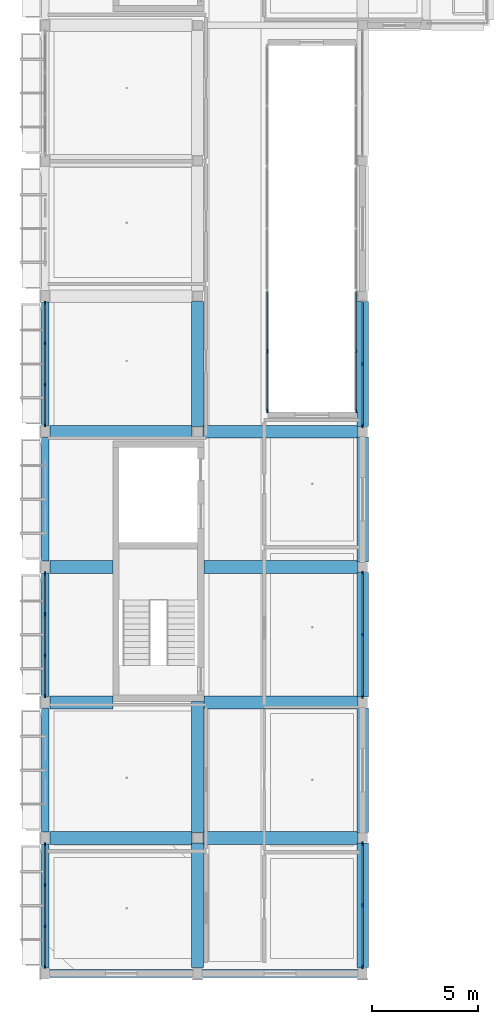
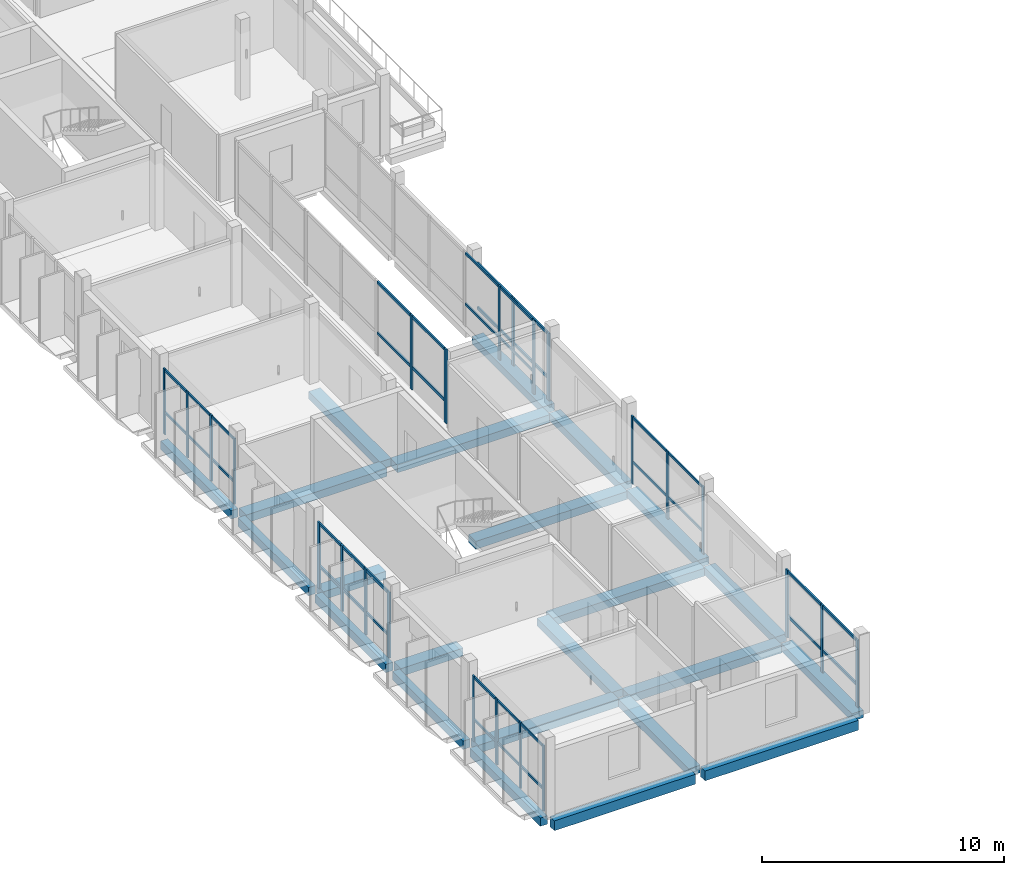
# One storey, part 5 of 86: 40 members, 23 beams, 8 elements without a shape of their own.
"""IFC4 building model written with IfcOpenShell, lengths in metres."""

import ifcopenshell
import ifcopenshell.guid

model = None  # the IFC model being written
_history = None  # IfcOwnerHistory: only IFC2X3 demands one
_inside = {}  # id of a spatial element -> (the spatial element, [elements in it])
_under = {}  # id of a project, library or spatial element -> (it, [spatial elements below it])
_declared = {}  # id of a project -> (the project, [libraries it declares])
_typed = {}  # id of a type object -> (the type object, [elements of that type])
_made_of = {}  # id of a material, layer set ... -> (it, [elements and type objects made of it])


def new_model(schema):
    """Start an empty IFC model of exactly this schema.

    Asked for "IFC4X3", IfcOpenShell would pick the latest addendum, in which some entities
    have other attributes; the version numbers below select the first issue.
    IFC2X3 requires an IfcOwnerHistory on every rooted entity: one is made here for all.
    """
    global model, _history
    if schema == "IFC4X3":
        model = ifcopenshell.file(schema_version=(4, 3, 0, 0))
    else:
        model = ifcopenshell.file(schema=schema)
    _inside.clear()
    _under.clear()
    _declared.clear()
    _typed.clear()
    _made_of.clear()
    _history = None
    if model.schema == "IFC2X3":
        org = make("IfcOrganization", Name="unknown")
        user = make(
            "IfcPersonAndOrganization",
            ThePerson=make("IfcPerson", FamilyName="unknown"),
            TheOrganization=org,
        )
        app = make(
            "IfcApplication",
            ApplicationDeveloper=org,
            Version="unknown",
            ApplicationFullName="unknown",
            ApplicationIdentifier="unknown",
        )
        _history = make(
            "IfcOwnerHistory",
            OwningUser=user,
            OwningApplication=app,
            ChangeAction="ADDED",
            CreationDate=0,
        )
    return model


def make(cls, **values):
    """One entity of the class cls with the attributes given. An attribute that is None is left unset."""
    return model.create_entity(
        cls, **{name: value for name, value in values.items() if value is not None}
    )


def rooted(cls, **values):
    """An entity with a GlobalId (a new one), such as an element, a storey or a relation."""
    return make(cls, GlobalId=ifcopenshell.guid.new(), OwnerHistory=_history, **values)


def si_unit(unit_type, name, prefix=None):
    """IfcSIUnit, for example si_unit("LENGTHUNIT", "METRE", prefix="MILLI")."""
    return make("IfcSIUnit", UnitType=unit_type, Prefix=prefix, Name=name)


def derived_unit(unit_type, elements):
    """IfcDerivedUnit: a product of units, each with its exponent."""
    return make(
        "IfcDerivedUnit",
        Elements=[
            make("IfcDerivedUnitElement", Unit=unit, Exponent=power)
            for unit, power in elements
        ],
        UnitType=unit_type,
    )


def assignment(units):
    """IfcUnitAssignment: the units of a project."""
    return None if units is None else make("IfcUnitAssignment", Units=units)


def point(xyz):
    """IfcCartesianPoint."""
    return None if xyz is None else make("IfcCartesianPoint", Coordinates=xyz)


def direction(xyz):
    """IfcDirection."""
    return None if xyz is None else make("IfcDirection", DirectionRatios=xyz)


def frame(location, z_axis=None, x_axis=None):
    """IfcAxis2Placement3D, a coordinate frame: its origin and axes. An axis left out is left unset."""
    return make(
        "IfcAxis2Placement3D",
        Location=point(location),
        Axis=direction(z_axis),
        RefDirection=direction(x_axis),
    )


def frame_2d(location, x_axis=None):
    """IfcAxis2Placement2D, a coordinate frame in the plane: its origin and x axis."""
    return make(
        "IfcAxis2Placement2D", Location=point(location), RefDirection=direction(x_axis)
    )


def origin():
    """The frame at (0, 0, 0) with its axes left unset."""
    return frame((0.0, 0.0, 0.0))


def origin_2d():
    """The frame at (0, 0) in the plane with its x axis left unset."""
    return frame_2d((0.0, 0.0))


def place(relative_to, where):
    """IfcLocalPlacement: puts the frame where relative to a parent placement (None: the world)."""
    return make(
        "IfcLocalPlacement", PlacementRelTo=relative_to, RelativePlacement=where
    )


def context(
    kind, dimensions, precision=None, world=None, true_north=None, identifier=None
):
    """IfcGeometricRepresentationContext, for example the 3D "Model" context."""
    return make(
        "IfcGeometricRepresentationContext",
        ContextIdentifier=identifier,
        ContextType=kind,
        CoordinateSpaceDimension=dimensions,
        Precision=precision,
        WorldCoordinateSystem=world,
        TrueNorth=true_north,
    )


def subcontext(parent, identifier, kind, view, scale=None):
    """IfcGeometricRepresentationSubContext, for example "Body" below "Model"."""
    return make(
        "IfcGeometricRepresentationSubContext",
        ContextIdentifier=identifier,
        ContextType=kind,
        ParentContext=parent,
        TargetScale=scale,
        TargetView=view,
    )


def project(units=None, contexts=None):
    """IfcProject with its units and contexts."""
    return rooted(
        "IfcProject",
        Name="project",
        RepresentationContexts=contexts,
        UnitsInContext=assignment(units),
    )


def spatial(cls, under=None, at=None, **own):
    """A site, building, storey or space (cls), placed at a placement, below another one or the project."""
    s = rooted(cls, ObjectPlacement=at, **own)
    if under is not None:
        _under.setdefault(under.id(), (under, []))[1].append(s)
    return s


def profile(cls, at=None, kind="AREA", **sizes):
    """A parametric profile (cls). Its sizes go by their IFC names, for example OverallWidth=200.0."""
    return make(cls, ProfileType=kind, Position=at, **sizes)


def rectangle(**sizes):
    """IfcRectangleProfileDef."""
    return profile("IfcRectangleProfileDef", **sizes)


def extrude(swept, where, along, depth):
    """IfcExtrudedAreaSolid: the profile swept, set in the frame where, extruded along a direction by depth."""
    return make(
        "IfcExtrudedAreaSolid",
        SweptArea=swept,
        Position=where,
        ExtrudedDirection=direction(along),
        Depth=depth,
    )


def shape(context_of_items, identifier, shape_type, items):
    """IfcShapeRepresentation: the items that make up one representation, for example the "Body"."""
    return make(
        "IfcShapeRepresentation",
        ContextOfItems=context_of_items,
        RepresentationIdentifier=identifier,
        RepresentationType=shape_type,
        Items=items,
    )


def material(Name=None, Category=None):
    """IfcMaterial."""
    return make("IfcMaterial", Name=Name, Category=Category)


def material_profile(
    of_material, cross_section, Name=None, Category=None, Priority=None
):
    """IfcMaterialProfile: a cross section and its material."""
    return make(
        "IfcMaterialProfile",
        Name=Name,
        Material=of_material,
        Profile=cross_section,
        Priority=Priority,
        Category=Category,
    )


def profile_set(profiles, Name=None, composite=None):
    """IfcMaterialProfileSet."""
    return make(
        "IfcMaterialProfileSet",
        Name=Name,
        MaterialProfiles=profiles,
        CompositeProfile=composite,
    )


def made_of(thing, what):
    """Note that an element or type object is made of a material, layer set ...; save() writes the relation."""
    if what is not None:
        _made_of.setdefault(what.id(), (what, []))[1].append(thing)
    return thing


def type_object(cls, material=None, **own):
    """A type object (cls), such as IfcWallType, which elements share."""
    return made_of(rooted(cls, **own), material)


def element(
    cls,
    number,
    at=None,
    inside=None,
    cuts=None,
    type_object=None,
    material=None,
    context=None,
    identifier="Body",
    shape_type=None,
    held_by="IfcProductDefinitionShape",
    body=None,
    shapes=None,
    **own,
):
    """One element of the class cls, such as IfcWall. Its Tag is "e" and its number.

    at: its placement. inside: the storey or other place that contains it. cuts: it is an
    opening in that element (IfcRelVoidsElement). A single representation is given by context,
    identifier, shape_type and body (its items); several are given by shapes. held_by: the class
    of the entity that holds the representations. save() writes the other relations.
    """
    e = rooted(cls, Tag="e%d" % number, ObjectPlacement=at, **own)
    if body is not None:
        shapes = [shape(context, identifier, shape_type, body)]
    if shapes is not None:
        e.Representation = make(held_by, Representations=shapes)
    if inside is not None:
        _inside.setdefault(inside.id(), (inside, []))[1].append(e)
    if cuts is not None:
        rooted(
            "IfcRelVoidsElement", RelatingBuildingElement=cuts, RelatedOpeningElement=e
        )
    if type_object is not None:
        _typed.setdefault(type_object.id(), (type_object, []))[1].append(e)
    return made_of(e, material)


def aggregate(whole, parts):
    """IfcRelAggregates: a whole, such as a stair, and the parts it consists of."""
    return rooted("IfcRelAggregates", RelatingObject=whole, RelatedObjects=parts)


def save(model, path):
    """Write the relations noted so far, then the file.

    IfcRelAggregates (storeys below a building ...), IfcRelContainedInSpatialStructure (elements
    in a storey), IfcRelDefinesByType, IfcRelAssociatesMaterial and IfcRelDeclares: one each for
    every whole, place, type object, material and project.
    """
    for whole, parts in _under.values():
        aggregate(whole, parts)
    for where, things in _inside.values():
        rooted(
            "IfcRelContainedInSpatialStructure",
            RelatedElements=things,
            RelatingStructure=where,
        )
    for kind, things in _typed.values():
        rooted("IfcRelDefinesByType", RelatedObjects=things, RelatingType=kind)
    for what, things in _made_of.values():
        rooted("IfcRelAssociatesMaterial", RelatedObjects=things, RelatingMaterial=what)
    for by, libraries in _declared.values():
        rooted("IfcRelDeclares", RelatingContext=by, RelatedDefinitions=libraries)
    model.write(path)


model = new_model("IFC4")

# Units and contexts
model_context = context("Model", 3, precision=1e-05, world=origin(), true_north=direction((0.0, 1.0)))
body_context = subcontext(model_context, "Body", "Model", "MODEL_VIEW")
ifc_project = project(units=[si_unit("LENGTHUNIT", "METRE"), si_unit("AREAUNIT", "SQUARE_METRE"), si_unit("VOLUMEUNIT", "CUBIC_METRE"), si_unit("PLANEANGLEUNIT", "RADIAN"), si_unit("MASSUNIT", "GRAM", prefix="KILO"), derived_unit("THERMALTRANSMITTANCEUNIT", [(si_unit("POWERUNIT", "WATT"), 1), (si_unit("LENGTHUNIT", "METRE"), -2), (si_unit("THERMODYNAMICTEMPERATUREUNIT", "KELVIN"), -1)])], contexts=[model_context])

# Site, building, storey
site_placement = place(None, origin())
site = spatial("IfcSite", under=ifc_project, at=site_placement, CompositionType="ELEMENT")
building_placement = place(site_placement, origin())
building = spatial("IfcBuilding", under=site, at=building_placement, Name="Braskholm Square Health Centre", CompositionType="ELEMENT")
storey_placement = place(building_placement, frame((0.0, 0.0, 13.5)))
storey = spatial("IfcBuildingStorey", under=building, at=storey_placement, Name="L04", CompositionType="ELEMENT", Elevation=13.5)

# Curtain wall, members
ifc_material_1 = material(Name="Low-E triple insulating glass (VLT 0.64)", Category="glass")
curtain_wall_type_1 = type_object("IfcCurtainWallType", Name="UnitisedCurtainWall6200x3650", PredefinedType="NOTDEFINED", material=ifc_material_1)
curtain_wall_1_placement = place(storey_placement, origin())
curtain_wall_1 = element("IfcCurtainWall", 1, at=curtain_wall_1_placement, inside=storey, type_object=curtain_wall_type_1, Name="West Outer unitised curtain wall CW-L04-0022", PredefinedType="NOTDEFINED")
ifc_material_2 = material(Name="Architectural bronze anodised aluminium", Category="aluminium")
ifc_material_profile_1 = material_profile(ifc_material_2, rectangle(XDim=0.06494140625, YDim=0.14990234375, at=origin_2d()), Name="ALU-65X150")
ifc_profile_set_1 = profile_set([ifc_material_profile_1], Name="Architectural bronze anodised aluminium")
member_type_1 = type_object("IfcMemberType", Name="CurtainWallMullion65x150", PredefinedType="MULLION", material=ifc_profile_set_1)
member_1_placement = place(storey_placement, frame((4.199951171875, 10.294921875, 0.0), z_axis=(0.0, 0.0, 1.0), x_axis=(1.0, 0.0, 0.0)))
member_1 = element("IfcMember", 2, at=member_1_placement, type_object=member_type_1, Name="CW-L04-0022 vertical mullion 1", PredefinedType="MULLION", context=body_context, shape_type="SweptSolid", body=[
    extrude(rectangle(XDim=0.06494140625, YDim=0.14990234375, at=origin_2d()), origin(), (0.0, 0.0, 1.0), 3.330078125),
])
member_2_placement = place(storey_placement, frame((4.199951171875, 8.376708984375, 0.0), z_axis=(0.0, 0.0, 1.0), x_axis=(1.0, 0.0, 0.0)))
member_2 = element("IfcMember", 3, at=member_2_placement, type_object=member_type_1, Name="CW-L04-0022 vertical mullion 2", PredefinedType="MULLION", context=body_context, shape_type="SweptSolid", body=[
    extrude(rectangle(XDim=0.06494140625, YDim=0.14990234375, at=origin_2d()), origin(), (0.0, 0.0, 1.0), 3.330078125),
])
member_3_placement = place(storey_placement, frame((4.199951171875, 6.42333984375, 0.0), z_axis=(0.0, 0.0, 1.0), x_axis=(1.0, 0.0, 0.0)))
member_3 = element("IfcMember", 4, at=member_3_placement, type_object=member_type_1, Name="CW-L04-0022 vertical mullion 3", PredefinedType="MULLION", context=body_context, shape_type="SweptSolid", body=[
    extrude(rectangle(XDim=0.06494140625, YDim=0.14990234375, at=origin_2d()), origin(), (0.0, 0.0, 1.0), 3.330078125),
])
member_4_placement = place(storey_placement, frame((4.199951171875, 4.505126953125, 0.0), z_axis=(0.0, 0.0, 1.0), x_axis=(1.0, 0.0, 0.0)))
member_4 = element("IfcMember", 5, at=member_4_placement, type_object=member_type_1, Name="CW-L04-0022 vertical mullion 4", PredefinedType="MULLION", context=body_context, shape_type="SweptSolid", body=[
    extrude(rectangle(XDim=0.06494140625, YDim=0.14990234375, at=origin_2d()), origin(), (0.0, 0.0, 1.0), 3.330078125),
])

curtain_wall_2_placement = place(storey_placement, origin())
curtain_wall_2 = element("IfcCurtainWall", 6, at=curtain_wall_2_placement, inside=storey, type_object=curtain_wall_type_1, Name="West Outer unitised curtain wall CW-L04-0024", PredefinedType="NOTDEFINED")
member_5_placement = place(storey_placement, frame((4.199951171875, 35.894775390625, 0.0), z_axis=(0.0, 0.0, 1.0), x_axis=(1.0, 0.0, 0.0)))
member_5 = element("IfcMember", 7, at=member_5_placement, type_object=member_type_1, Name="CW-L04-0024 vertical mullion 1", PredefinedType="MULLION", context=body_context, shape_type="SweptSolid", body=[
    extrude(rectangle(XDim=0.06494140625, YDim=0.14990234375, at=origin_2d()), origin(), (0.0, 0.0, 1.0), 3.330078125),
])
member_6_placement = place(storey_placement, frame((4.199951171875, 33.976806640625, 0.0), z_axis=(0.0, 0.0, 1.0), x_axis=(1.0, 0.0, 0.0)))
member_6 = element("IfcMember", 8, at=member_6_placement, type_object=member_type_1, Name="CW-L04-0024 vertical mullion 2", PredefinedType="MULLION", context=body_context, shape_type="SweptSolid", body=[
    extrude(rectangle(XDim=0.06494140625, YDim=0.14990234375, at=origin_2d()), origin(), (0.0, 0.0, 1.0), 3.330078125),
])
member_7_placement = place(storey_placement, frame((4.199951171875, 32.023193359375, 0.0), z_axis=(0.0, 0.0, 1.0), x_axis=(1.0, 0.0, 0.0)))
member_7 = element("IfcMember", 9, at=member_7_placement, type_object=member_type_1, Name="CW-L04-0024 vertical mullion 3", PredefinedType="MULLION", context=body_context, shape_type="SweptSolid", body=[
    extrude(rectangle(XDim=0.06494140625, YDim=0.14990234375, at=origin_2d()), origin(), (0.0, 0.0, 1.0), 3.330078125),
])
member_8_placement = place(storey_placement, frame((4.199951171875, 30.105224609375, 0.0), z_axis=(0.0, 0.0, 1.0), x_axis=(1.0, 0.0, 0.0)))
member_8 = element("IfcMember", 10, at=member_8_placement, type_object=member_type_1, Name="CW-L04-0024 vertical mullion 4", PredefinedType="MULLION", context=body_context, shape_type="SweptSolid", body=[
    extrude(rectangle(XDim=0.06494140625, YDim=0.14990234375, at=origin_2d()), origin(), (0.0, 0.0, 1.0), 3.330078125),
])

curtain_wall_3_placement = place(storey_placement, origin())
curtain_wall_3 = element("IfcCurtainWall", 11, at=curtain_wall_3_placement, inside=storey, type_object=curtain_wall_type_1, Name="West Valley unitised curtain wall CW-L04-0096", PredefinedType="NOTDEFINED")
member_9_placement = place(storey_placement, frame((19.199951171875, 17.275390625, 0.0), z_axis=(0.0, 0.0, 1.0), x_axis=(1.0, 0.0, 0.0)))
member_9 = element("IfcMember", 12, at=member_9_placement, type_object=member_type_1, Name="CW-L04-0096 vertical mullion 1", PredefinedType="MULLION", context=body_context, shape_type="SweptSolid", body=[
    extrude(rectangle(XDim=0.06494140625, YDim=0.14990234375, at=origin_2d()), origin(), (0.0, 0.0, 1.0), 3.419921875),
])
member_10_placement = place(storey_placement, frame((19.199951171875, 20.199951171875, 0.0), z_axis=(0.0, 0.0, 1.0), x_axis=(1.0, 0.0, 0.0)))
member_10 = element("IfcMember", 13, at=member_10_placement, type_object=member_type_1, Name="CW-L04-0096 vertical mullion 2", PredefinedType="MULLION", context=body_context, shape_type="SweptSolid", body=[
    extrude(rectangle(XDim=0.06494140625, YDim=0.14990234375, at=origin_2d()), origin(), (0.0, 0.0, 1.0), 3.419921875),
])
member_11_placement = place(storey_placement, frame((19.199951171875, 23.12451171875, 0.0), z_axis=(0.0, 0.0, 1.0), x_axis=(1.0, 0.0, 0.0)))
member_11 = element("IfcMember", 14, at=member_11_placement, type_object=member_type_1, Name="CW-L04-0096 vertical mullion 3", PredefinedType="MULLION", context=body_context, shape_type="SweptSolid", body=[
    extrude(rectangle(XDim=0.06494140625, YDim=0.14990234375, at=origin_2d()), origin(), (0.0, 0.0, 1.0), 3.419921875),
])

curtain_wall_type_2 = type_object("IfcCurtainWallType", Name="UnitisedCurtainWall5400x3800", PredefinedType="NOTDEFINED", material=ifc_material_1)
curtain_wall_4_placement = place(storey_placement, origin())
curtain_wall_4 = element("IfcCurtainWall", 15, at=curtain_wall_4_placement, inside=storey, type_object=curtain_wall_type_2, Name="WC1 Court E unitised curtain wall CW-L04-0268", PredefinedType="NOTDEFINED")
member_12_placement = place(storey_placement, frame((18.89990234375, 33.60107421875, 0.0), z_axis=(0.0, 0.0, 1.0), x_axis=(1.0, 0.0, 0.0)))
member_12 = element("IfcMember", 16, at=member_12_placement, type_object=member_type_1, Name="CW-L04-0268 vertical mullion 2", PredefinedType="MULLION", context=body_context, shape_type="SweptSolid", body=[
    extrude(rectangle(XDim=0.06494140625, YDim=0.14990234375, at=origin_2d()), origin(), (0.0, 0.0, 1.0), 3.75),
])
member_13_placement = place(storey_placement, frame((18.89990234375, 30.7744140625, 0.0), z_axis=(0.0, 0.0, 1.0), x_axis=(1.0, 0.0, 0.0)))
member_13 = element("IfcMember", 17, at=member_13_placement, type_object=member_type_1, Name="CW-L04-0268 vertical mullion 3", PredefinedType="MULLION", context=body_context, shape_type="SweptSolid", body=[
    extrude(rectangle(XDim=0.06494140625, YDim=0.14990234375, at=origin_2d()), origin(), (0.0, 0.0, 1.0), 3.75),
])

curtain_wall_5_placement = place(storey_placement, origin())
curtain_wall_5 = element("IfcCurtainWall", 18, at=curtain_wall_5_placement, inside=storey, type_object=curtain_wall_type_1, Name="West Outer unitised curtain wall CW-L04-0023", PredefinedType="NOTDEFINED")
ifc_material_profile_2 = material_profile(ifc_material_2, rectangle(XDim=0.074951171875, YDim=0.179931640625, at=origin_2d()), Name="ALU-75X180")
ifc_profile_set_2 = profile_set([ifc_material_profile_2], Name="Architectural bronze anodised aluminium")
member_type_2 = type_object("IfcMemberType", Name="CurtainWallMullion75x180", PredefinedType="MULLION", material=ifc_profile_set_2)
member_14_placement = place(storey_placement, frame((4.199951171875, 23.0947265625, 0.0), z_axis=(0.0, 0.0, 1.0), x_axis=(1.0, 0.0, 0.0)))
member_14 = element("IfcMember", 19, at=member_14_placement, type_object=member_type_2, Name="CW-L04-0023 vertical mullion 1", PredefinedType="MULLION", context=body_context, shape_type="SweptSolid", body=[
    extrude(rectangle(XDim=0.074951171875, YDim=0.179931640625, at=origin_2d()), origin(), (0.0, 0.0, 1.0), 3.330078125),
])
member_15_placement = place(storey_placement, frame((4.199951171875, 21.1767578125, 0.0), z_axis=(0.0, 0.0, 1.0), x_axis=(1.0, 0.0, 0.0)))
member_15 = element("IfcMember", 20, at=member_15_placement, type_object=member_type_2, Name="CW-L04-0023 vertical mullion 2", PredefinedType="MULLION", context=body_context, shape_type="SweptSolid", body=[
    extrude(rectangle(XDim=0.074951171875, YDim=0.179931640625, at=origin_2d()), origin(), (0.0, 0.0, 1.0), 3.330078125),
])
member_16_placement = place(storey_placement, frame((4.199951171875, 19.223388671875, 0.0), z_axis=(0.0, 0.0, 1.0), x_axis=(1.0, 0.0, 0.0)))
member_16 = element("IfcMember", 21, at=member_16_placement, type_object=member_type_2, Name="CW-L04-0023 vertical mullion 3", PredefinedType="MULLION", context=body_context, shape_type="SweptSolid", body=[
    extrude(rectangle(XDim=0.074951171875, YDim=0.179931640625, at=origin_2d()), origin(), (0.0, 0.0, 1.0), 3.330078125),
])
member_17_placement = place(storey_placement, frame((4.199951171875, 17.30517578125, 0.0), z_axis=(0.0, 0.0, 1.0), x_axis=(1.0, 0.0, 0.0)))
member_17 = element("IfcMember", 22, at=member_17_placement, type_object=member_type_2, Name="CW-L04-0023 vertical mullion 4", PredefinedType="MULLION", context=body_context, shape_type="SweptSolid", body=[
    extrude(rectangle(XDim=0.074951171875, YDim=0.179931640625, at=origin_2d()), origin(), (0.0, 0.0, 1.0), 3.330078125),
])

curtain_wall_6_placement = place(storey_placement, origin())
curtain_wall_6 = element("IfcCurtainWall", 23, at=curtain_wall_6_placement, inside=storey, type_object=curtain_wall_type_1, Name="West Valley unitised curtain wall CW-L04-0095", PredefinedType="NOTDEFINED")
member_18_placement = place(storey_placement, frame((19.199951171875, 4.50537109375, 0.0), z_axis=(0.0, 0.0, 1.0), x_axis=(1.0, 0.0, 0.0)))
member_18 = element("IfcMember", 24, at=member_18_placement, type_object=member_type_2, Name="CW-L04-0095 vertical mullion 1", PredefinedType="MULLION", context=body_context, shape_type="SweptSolid", body=[
    extrude(rectangle(XDim=0.074951171875, YDim=0.179931640625, at=origin_2d()), origin(), (0.0, 0.0, 1.0), 3.419921875),
])
member_19_placement = place(storey_placement, frame((19.199951171875, 7.4150390625, 0.0), z_axis=(0.0, 0.0, 1.0), x_axis=(1.0, 0.0, 0.0)))
member_19 = element("IfcMember", 25, at=member_19_placement, type_object=member_type_2, Name="CW-L04-0095 vertical mullion 2", PredefinedType="MULLION", context=body_context, shape_type="SweptSolid", body=[
    extrude(rectangle(XDim=0.074951171875, YDim=0.179931640625, at=origin_2d()), origin(), (0.0, 0.0, 1.0), 3.419921875),
])
member_20_placement = place(storey_placement, frame((19.199951171875, 10.32470703125, 0.0), z_axis=(0.0, 0.0, 1.0), x_axis=(1.0, 0.0, 0.0)))
member_20 = element("IfcMember", 26, at=member_20_placement, type_object=member_type_2, Name="CW-L04-0095 vertical mullion 3", PredefinedType="MULLION", context=body_context, shape_type="SweptSolid", body=[
    extrude(rectangle(XDim=0.074951171875, YDim=0.179931640625, at=origin_2d()), origin(), (0.0, 0.0, 1.0), 3.419921875),
])

curtain_wall_7_placement = place(storey_placement, origin())
curtain_wall_7 = element("IfcCurtainWall", 27, at=curtain_wall_7_placement, inside=storey, type_object=curtain_wall_type_1, Name="West Valley unitised curtain wall CW-L04-0097", PredefinedType="NOTDEFINED")
member_21_placement = place(storey_placement, frame((19.199951171875, 30.075439453125, 0.0), z_axis=(0.0, 0.0, 1.0), x_axis=(1.0, 0.0, 0.0)))
member_21 = element("IfcMember", 28, at=member_21_placement, type_object=member_type_2, Name="CW-L04-0097 vertical mullion 1", PredefinedType="MULLION", context=body_context, shape_type="SweptSolid", body=[
    extrude(rectangle(XDim=0.074951171875, YDim=0.179931640625, at=origin_2d()), origin(), (0.0, 0.0, 1.0), 3.419921875),
])
member_22_placement = place(storey_placement, frame((19.199951171875, 33.0, 0.0), z_axis=(0.0, 0.0, 1.0), x_axis=(1.0, 0.0, 0.0)))
member_22 = element("IfcMember", 29, at=member_22_placement, type_object=member_type_2, Name="CW-L04-0097 vertical mullion 2", PredefinedType="MULLION", context=body_context, shape_type="SweptSolid", body=[
    extrude(rectangle(XDim=0.074951171875, YDim=0.179931640625, at=origin_2d()), origin(), (0.0, 0.0, 1.0), 3.419921875),
])

curtain_wall_8_placement = place(storey_placement, origin())
curtain_wall_8 = element("IfcCurtainWall", 30, at=curtain_wall_8_placement, inside=storey, type_object=curtain_wall_type_2, Name="WC1 Court W unitised curtain wall CW-L04-0267", PredefinedType="NOTDEFINED")
member_23_placement = place(storey_placement, frame((14.699951171875, 30.7744140625, 0.0), z_axis=(0.0, 0.0, 1.0), x_axis=(1.0, 0.0, 0.0)))
member_23 = element("IfcMember", 31, at=member_23_placement, type_object=member_type_2, Name="CW-L04-0267 vertical mullion 1", PredefinedType="MULLION", context=body_context, shape_type="SweptSolid", body=[
    extrude(rectangle(XDim=0.074951171875, YDim=0.179931640625, at=origin_2d()), origin(), (0.0, 0.0, 1.0), 3.75),
])
member_24_placement = place(storey_placement, frame((14.699951171875, 33.60107421875, 0.0), z_axis=(0.0, 0.0, 1.0), x_axis=(1.0, 0.0, 0.0)))
member_24 = element("IfcMember", 32, at=member_24_placement, type_object=member_type_2, Name="CW-L04-0267 vertical mullion 2", PredefinedType="MULLION", context=body_context, shape_type="SweptSolid", body=[
    extrude(rectangle(XDim=0.074951171875, YDim=0.179931640625, at=origin_2d()), origin(), (0.0, 0.0, 1.0), 3.75),
])

# Member
ifc_material_profile_3 = material_profile(ifc_material_2, rectangle(XDim=0.06494140625, YDim=0.1201171875, at=origin_2d()), Name="ALU-65X120")
ifc_profile_set_3 = profile_set([ifc_material_profile_3], Name="Architectural bronze anodised aluminium")
member_type_3 = type_object("IfcMemberType", Name="CurtainWallTransom65x120", PredefinedType="USERDEFINED", material=ifc_profile_set_3)
member_25_placement = place(storey_placement, frame((4.199951171875, 10.284912109375, 1.1201171875), z_axis=(0.0, -1.0, 0.0), x_axis=(1.0, 0.0, 0.0)))
member_25 = element("IfcMember", 33, at=member_25_placement, type_object=member_type_3, Name="CW-L04-0022 horizontal transom 1", ObjectType="TRANSOM", PredefinedType="USERDEFINED", context=body_context, shape_type="SweptSolid", body=[
    extrude(rectangle(XDim=0.06494140625, YDim=0.1201171875, at=origin_2d()), origin(), (0.0, 0.0, 1.0), 5.77001953125),
])

member_26_placement = place(storey_placement, frame((4.199951171875, 10.284912109375, 3.260009765625), z_axis=(0.0, -1.0, 0.0), x_axis=(1.0, 0.0, 0.0)))
member_26 = element("IfcMember", 34, at=member_26_placement, type_object=member_type_3, Name="CW-L04-0022 horizontal transom 2", ObjectType="TRANSOM", PredefinedType="USERDEFINED", context=body_context, shape_type="SweptSolid", body=[
    extrude(rectangle(XDim=0.06494140625, YDim=0.1201171875, at=origin_2d()), origin(), (0.0, 0.0, 1.0), 5.77001953125),
])

aggregate(curtain_wall_1, [member_1, member_2, member_3, member_4, member_25, member_26])

member_27_placement = place(storey_placement, frame((4.199951171875, 35.885009765625, 1.1201171875), z_axis=(0.0, -1.0, 0.0), x_axis=(1.0, 0.0, 0.0)))
member_27 = element("IfcMember", 35, at=member_27_placement, type_object=member_type_3, Name="CW-L04-0024 horizontal transom 1", ObjectType="TRANSOM", PredefinedType="USERDEFINED", context=body_context, shape_type="SweptSolid", body=[
    extrude(rectangle(XDim=0.06494140625, YDim=0.1201171875, at=origin_2d()), origin(), (0.0, 0.0, 1.0), 5.77001953125),
])

member_28_placement = place(storey_placement, frame((4.199951171875, 35.885009765625, 3.260009765625), z_axis=(0.0, -1.0, 0.0), x_axis=(1.0, 0.0, 0.0)))
member_28 = element("IfcMember", 36, at=member_28_placement, type_object=member_type_3, Name="CW-L04-0024 horizontal transom 2", ObjectType="TRANSOM", PredefinedType="USERDEFINED", context=body_context, shape_type="SweptSolid", body=[
    extrude(rectangle(XDim=0.06494140625, YDim=0.1201171875, at=origin_2d()), origin(), (0.0, 0.0, 1.0), 5.77001953125),
])

aggregate(curtain_wall_2, [member_5, member_6, member_7, member_8, member_27, member_28])

member_29_placement = place(storey_placement, frame((19.199951171875, 17.284912109375, 1.1201171875), z_axis=(0.0, 1.0, 0.0), x_axis=(-1.0, 0.0, 0.0)))
member_29 = element("IfcMember", 37, at=member_29_placement, type_object=member_type_3, Name="CW-L04-0096 horizontal transom 1", ObjectType="TRANSOM", PredefinedType="USERDEFINED", context=body_context, shape_type="SweptSolid", body=[
    extrude(rectangle(XDim=0.06494140625, YDim=0.1201171875, at=origin_2d()), origin(), (0.0, 0.0, 1.0), 5.830078125),
])

member_30_placement = place(storey_placement, frame((19.199951171875, 17.284912109375, 3.35009765625), z_axis=(0.0, 1.0, 0.0), x_axis=(-1.0, 0.0, 0.0)))
member_30 = element("IfcMember", 38, at=member_30_placement, type_object=member_type_3, Name="CW-L04-0096 horizontal transom 2", ObjectType="TRANSOM", PredefinedType="USERDEFINED", context=body_context, shape_type="SweptSolid", body=[
    extrude(rectangle(XDim=0.06494140625, YDim=0.1201171875, at=origin_2d()), origin(), (0.0, 0.0, 1.0), 5.830078125),
])

aggregate(curtain_wall_3, [member_9, member_10, member_11, member_29, member_30])

member_31_placement = place(storey_placement, frame((18.89990234375, 36.4169921875, 1.1201171875), z_axis=(0.0, -1.0, 0.0), x_axis=(1.0, 0.0, 0.0)))
member_31 = element("IfcMember", 39, at=member_31_placement, type_object=member_type_3, Name="CW-L04-0268 horizontal transom 1", ObjectType="TRANSOM", PredefinedType="USERDEFINED", context=body_context, shape_type="SweptSolid", body=[
    extrude(rectangle(XDim=0.06494140625, YDim=0.1201171875, at=origin_2d()), origin(), (0.0, 0.0, 1.0), 5.632080078125),
])

member_32_placement = place(storey_placement, frame((18.89990234375, 36.4169921875, 3.679931640625), z_axis=(0.0, -1.0, 0.0), x_axis=(1.0, 0.0, 0.0)))
member_32 = element("IfcMember", 40, at=member_32_placement, type_object=member_type_3, Name="CW-L04-0268 horizontal transom 2", ObjectType="TRANSOM", PredefinedType="USERDEFINED", context=body_context, shape_type="SweptSolid", body=[
    extrude(rectangle(XDim=0.06494140625, YDim=0.1201171875, at=origin_2d()), origin(), (0.0, 0.0, 1.0), 5.632080078125),
])

aggregate(curtain_wall_4, [member_12, member_13, member_31, member_32])

ifc_material_profile_4 = material_profile(ifc_material_2, rectangle(XDim=0.074951171875, YDim=0.139892578125, at=origin_2d()), Name="ALU-75X140")
ifc_profile_set_4 = profile_set([ifc_material_profile_4], Name="Architectural bronze anodised aluminium")
member_type_4 = type_object("IfcMemberType", Name="CurtainWallTransom75x140", PredefinedType="USERDEFINED", material=ifc_profile_set_4)
member_33_placement = place(storey_placement, frame((4.199951171875, 23.0849609375, 1.1201171875), z_axis=(0.0, -1.0, 0.0), x_axis=(1.0, 0.0, 0.0)))
member_33 = element("IfcMember", 41, at=member_33_placement, type_object=member_type_4, Name="CW-L04-0023 horizontal transom 1", ObjectType="TRANSOM", PredefinedType="USERDEFINED", context=body_context, shape_type="SweptSolid", body=[
    extrude(rectangle(XDim=0.074951171875, YDim=0.139892578125, at=origin_2d()), origin(), (0.0, 0.0, 1.0), 5.77001953125),
])

member_34_placement = place(storey_placement, frame((4.199951171875, 23.0849609375, 3.260009765625), z_axis=(0.0, -1.0, 0.0), x_axis=(1.0, 0.0, 0.0)))
member_34 = element("IfcMember", 42, at=member_34_placement, type_object=member_type_4, Name="CW-L04-0023 horizontal transom 2", ObjectType="TRANSOM", PredefinedType="USERDEFINED", context=body_context, shape_type="SweptSolid", body=[
    extrude(rectangle(XDim=0.074951171875, YDim=0.139892578125, at=origin_2d()), origin(), (0.0, 0.0, 1.0), 5.77001953125),
])

aggregate(curtain_wall_5, [member_14, member_15, member_16, member_17, member_33, member_34])

member_35_placement = place(storey_placement, frame((19.199951171875, 4.514892578125, 1.1201171875), z_axis=(0.0, 1.0, 0.0), x_axis=(-1.0, 0.0, 0.0)))
member_35 = element("IfcMember", 43, at=member_35_placement, type_object=member_type_4, Name="CW-L04-0095 horizontal transom 1", ObjectType="TRANSOM", PredefinedType="USERDEFINED", context=body_context, shape_type="SweptSolid", body=[
    extrude(rectangle(XDim=0.074951171875, YDim=0.139892578125, at=origin_2d()), origin(), (0.0, 0.0, 1.0), 5.800048828125),
])

member_36_placement = place(storey_placement, frame((19.199951171875, 4.514892578125, 3.35009765625), z_axis=(0.0, 1.0, 0.0), x_axis=(-1.0, 0.0, 0.0)))
member_36 = element("IfcMember", 44, at=member_36_placement, type_object=member_type_4, Name="CW-L04-0095 horizontal transom 2", ObjectType="TRANSOM", PredefinedType="USERDEFINED", context=body_context, shape_type="SweptSolid", body=[
    extrude(rectangle(XDim=0.074951171875, YDim=0.139892578125, at=origin_2d()), origin(), (0.0, 0.0, 1.0), 5.800048828125),
])

aggregate(curtain_wall_6, [member_18, member_19, member_20, member_35, member_36])

member_37_placement = place(storey_placement, frame((19.199951171875, 30.0849609375, 1.1201171875), z_axis=(0.0, 1.0, 0.0), x_axis=(-1.0, 0.0, 0.0)))
member_37 = element("IfcMember", 45, at=member_37_placement, type_object=member_type_4, Name="CW-L04-0097 horizontal transom 1", ObjectType="TRANSOM", PredefinedType="USERDEFINED", context=body_context, shape_type="SweptSolid", body=[
    extrude(rectangle(XDim=0.074951171875, YDim=0.139892578125, at=origin_2d()), origin(), (0.0, 0.0, 1.0), 5.830078125),
])

member_38_placement = place(storey_placement, frame((19.199951171875, 30.0849609375, 3.35009765625), z_axis=(0.0, 1.0, 0.0), x_axis=(-1.0, 0.0, 0.0)))
member_38 = element("IfcMember", 46, at=member_38_placement, type_object=member_type_4, Name="CW-L04-0097 horizontal transom 2", ObjectType="TRANSOM", PredefinedType="USERDEFINED", context=body_context, shape_type="SweptSolid", body=[
    extrude(rectangle(XDim=0.074951171875, YDim=0.139892578125, at=origin_2d()), origin(), (0.0, 0.0, 1.0), 5.830078125),
])

aggregate(curtain_wall_7, [member_21, member_22, member_37, member_38])

member_39_placement = place(storey_placement, frame((14.699951171875, 30.784912109375, 1.1201171875), z_axis=(0.0, 1.0, 0.0), x_axis=(-1.0, 0.0, 0.0)))
member_39 = element("IfcMember", 47, at=member_39_placement, type_object=member_type_4, Name="CW-L04-0267 horizontal transom 1", ObjectType="TRANSOM", PredefinedType="USERDEFINED", context=body_context, shape_type="SweptSolid", body=[
    extrude(rectangle(XDim=0.074951171875, YDim=0.139892578125, at=origin_2d()), origin(), (0.0, 0.0, 1.0), 5.632080078125),
])

member_40_placement = place(storey_placement, frame((14.699951171875, 30.784912109375, 3.679931640625), z_axis=(0.0, 1.0, 0.0), x_axis=(-1.0, 0.0, 0.0)))
member_40 = element("IfcMember", 48, at=member_40_placement, type_object=member_type_4, Name="CW-L04-0267 horizontal transom 2", ObjectType="TRANSOM", PredefinedType="USERDEFINED", context=body_context, shape_type="SweptSolid", body=[
    extrude(rectangle(XDim=0.074951171875, YDim=0.139892578125, at=origin_2d()), origin(), (0.0, 0.0, 1.0), 5.632080078125),
])

aggregate(curtain_wall_8, [member_23, member_24, member_39, member_40])

# Beams
ifc_material_3 = material(Name="Concrete C35/45 (f'c = 35 MPa)", Category="concrete")
ifc_material_profile_5 = material_profile(ifc_material_3, rectangle(XDim=0.550048828125, YDim=0.3798828125, at=origin_2d()), Name="RCB-550X380")
ifc_profile_set_5 = profile_set([ifc_material_profile_5], Name="Concrete C35/45 (f'c = 35 MPa)")
beam_type_1 = type_object("IfcBeamType", Name="PrimaryBandBeam550x380", PredefinedType="BEAM", material=ifc_profile_set_5)
beam_1_placement = place(storey_placement, frame((11.39990234375, 4.47998046875, -0.489990234375), z_axis=(0.0, 1.0, 0.0), x_axis=(-1.0, 0.0, 0.0)))
element("IfcBeam", 49, at=beam_1_placement, inside=storey, type_object=beam_type_1, Name="Beam 2/A-B L04", PredefinedType="BEAM", context=body_context, shape_type="SweptSolid", body=[
    extrude(rectangle(XDim=0.550048828125, YDim=0.3798828125, at=origin_2d()), origin(), (0.0, 0.0, 1.0), 5.8701171875),
])
beam_2_placement = place(storey_placement, frame((11.39990234375, 10.85009765625, -0.489990234375), z_axis=(0.0, 1.0, 0.0), x_axis=(-1.0, 0.0, 0.0)))
element("IfcBeam", 50, at=beam_2_placement, inside=storey, type_object=beam_type_1, Name="Beam 2/B-E L04", PredefinedType="BEAM", context=body_context, shape_type="SweptSolid", body=[
    extrude(rectangle(XDim=0.550048828125, YDim=0.3798828125, at=origin_2d()), origin(), (0.0, 0.0, 1.0), 6.199951171875),
])
beam_3_placement = place(storey_placement, frame((11.39990234375, 30.050048828125, -0.489990234375), z_axis=(0.0, 1.0, 0.0), x_axis=(-1.0, 0.0, 0.0)))
element("IfcBeam", 51, at=beam_3_placement, inside=storey, type_object=beam_type_1, Name="Beam 2/E-F L04", PredefinedType="BEAM", context=body_context, shape_type="SweptSolid", body=[
    extrude(rectangle(XDim=0.550048828125, YDim=0.3798828125, at=origin_2d()), origin(), (0.0, 0.0, 1.0), 5.89990234375),
])
beam_4_placement = place(storey_placement, frame((19.199951171875, 4.47998046875, -0.43994140625), z_axis=(0.0, 1.0, 0.0), x_axis=(-1.0, 0.0, 0.0)))
element("IfcBeam", 52, at=beam_4_placement, inside=storey, type_object=beam_type_1, Name="Beam 3/A-B L04", PredefinedType="BEAM", context=body_context, shape_type="SweptSolid", body=[
    extrude(rectangle(XDim=0.550048828125, YDim=0.3798828125, at=origin_2d()), origin(), (0.0, 0.0, 1.0), 5.8701171875),
])
for number, where, z_axis, x_axis, name in (
    (53, (19.199951171875, 10.85009765625, -0.43994140625), (0.0, 1.0, 0.0), (-1.0, 0.0, 0.0), "Beam 3/B-C L04"),
    (54, (19.199951171875, 17.25, -0.43994140625), (0.0, 1.0, 0.0), (-1.0, 0.0, 0.0), "Beam 3/C-D L04"),
):
    element("IfcBeam", number, at=place(storey_placement, frame(where, z_axis=z_axis, x_axis=x_axis)), inside=storey, type_object=beam_type_1, Name=name, PredefinedType="BEAM", context=body_context, shape_type="SweptSolid", body=[
        extrude(rectangle(XDim=0.550048828125, YDim=0.3798828125, at=origin_2d()), origin(), (0.0, 0.0, 1.0), 5.89990234375),
    ])
beam_5_placement = place(storey_placement, frame((19.199951171875, 23.64990234375, -0.43994140625), z_axis=(0.0, 1.0, 0.0), x_axis=(-1.0, 0.0, 0.0)))
element("IfcBeam", 55, at=beam_5_placement, inside=storey, type_object=beam_type_1, Name="Beam 3/D-E L04", PredefinedType="BEAM", context=body_context, shape_type="SweptSolid", body=[
    extrude(rectangle(XDim=0.550048828125, YDim=0.3798828125, at=origin_2d()), origin(), (0.0, 0.0, 1.0), 5.900146484375),
])
beam_6_placement = place(storey_placement, frame((19.199951171875, 30.050048828125, -0.43994140625), z_axis=(0.0, 1.0, 0.0), x_axis=(-1.0, 0.0, 0.0)))
element("IfcBeam", 56, at=beam_6_placement, inside=storey, type_object=beam_type_1, Name="Beam 3/E-F L04", PredefinedType="BEAM", context=body_context, shape_type="SweptSolid", body=[
    extrude(rectangle(XDim=0.550048828125, YDim=0.3798828125, at=origin_2d()), origin(), (0.0, 0.0, 1.0), 5.89990234375),
])
ifc_material_profile_6 = material_profile(ifc_material_3, rectangle(XDim=0.60009765625, YDim=0.39990234375, at=origin_2d()), Name="RCB-600X400")
ifc_profile_set_6 = profile_set([ifc_material_profile_6], Name="Concrete C35/45 (f'c = 35 MPa)")
beam_type_2 = type_object("IfcBeamType", Name="PrimaryBandBeam600x400", PredefinedType="BEAM", material=ifc_profile_set_6)
beam_7_placement = place(storey_placement, frame((4.429931640625, 10.60009765625, -0.5), z_axis=(1.0, 0.0, 0.0), x_axis=(0.0, 1.0, 0.0)))
element("IfcBeam", 57, at=beam_7_placement, inside=storey, type_object=beam_type_2, Name="Beam 1-2/B L04", PredefinedType="BEAM", context=body_context, shape_type="SweptSolid", body=[
    extrude(rectangle(XDim=0.60009765625, YDim=0.39990234375, at=origin_2d()), origin(), (0.0, 0.0, 1.0), 6.719970703125),
])
beam_8_placement = place(storey_placement, frame((11.64990234375, 10.60009765625, -0.5), z_axis=(1.0, 0.0, 0.0), x_axis=(0.0, 1.0, 0.0)))
element("IfcBeam", 58, at=beam_8_placement, inside=storey, type_object=beam_type_2, Name="Beam 2-3/B L04", PredefinedType="BEAM", context=body_context, shape_type="SweptSolid", body=[
    extrude(rectangle(XDim=0.60009765625, YDim=0.39990234375, at=origin_2d()), origin(), (0.0, 0.0, 1.0), 7.300048828125),
])
beam_9_placement = place(storey_placement, frame((4.429931640625, 17.0, -0.5), z_axis=(1.0, 0.0, 0.0), x_axis=(0.0, 1.0, 0.0)))
element("IfcBeam", 59, at=beam_9_placement, inside=storey, type_object=beam_type_2, Name="Beam 1-3/C L04", PredefinedType="BEAM", context=body_context, shape_type="SweptSolid", body=[
    extrude(rectangle(XDim=0.60009765625, YDim=0.39990234375, at=origin_2d()), origin(), (0.0, 0.0, 1.0), 2.969970703125),
])
beam_10_placement = place(storey_placement, frame((11.699951171875, 17.0, -0.5), z_axis=(1.0, 0.0, 0.0), x_axis=(0.0, 1.0, 0.0)))
element("IfcBeam", 60, at=beam_10_placement, inside=storey, type_object=beam_type_2, Name="Beam 1-3/C L04", PredefinedType="BEAM", context=body_context, shape_type="SweptSolid", body=[
    extrude(rectangle(XDim=0.60009765625, YDim=0.39990234375, at=origin_2d()), origin(), (0.0, 0.0, 1.0), 7.25),
])
beam_11_placement = place(storey_placement, frame((4.429931640625, 23.39990234375, -0.5), z_axis=(1.0, 0.0, 0.0), x_axis=(0.0, 1.0, 0.0)))
element("IfcBeam", 61, at=beam_11_placement, inside=storey, type_object=beam_type_2, Name="Beam 1-3/D L04", PredefinedType="BEAM", context=body_context, shape_type="SweptSolid", body=[
    extrude(rectangle(XDim=0.60009765625, YDim=0.39990234375, at=origin_2d()), origin(), (0.0, 0.0, 1.0), 2.969970703125),
])
beam_12_placement = place(storey_placement, frame((11.699951171875, 23.39990234375, -0.5), z_axis=(1.0, 0.0, 0.0), x_axis=(0.0, 1.0, 0.0)))
element("IfcBeam", 62, at=beam_12_placement, inside=storey, type_object=beam_type_2, Name="Beam 1-3/D L04", PredefinedType="BEAM", context=body_context, shape_type="SweptSolid", body=[
    extrude(rectangle(XDim=0.60009765625, YDim=0.39990234375, at=origin_2d()), origin(), (0.0, 0.0, 1.0), 7.25),
])
beam_13_placement = place(storey_placement, frame((4.429931640625, 29.800048828125, -0.5), z_axis=(1.0, 0.0, 0.0), x_axis=(0.0, 1.0, 0.0)))
element("IfcBeam", 63, at=beam_13_placement, inside=storey, type_object=beam_type_2, Name="Beam 1-2/E L04", PredefinedType="BEAM", context=body_context, shape_type="SweptSolid", body=[
    extrude(rectangle(XDim=0.60009765625, YDim=0.39990234375, at=origin_2d()), origin(), (0.0, 0.0, 1.0), 6.719970703125),
])
beam_14_placement = place(storey_placement, frame((11.64990234375, 29.800048828125, -0.5), z_axis=(1.0, 0.0, 0.0), x_axis=(0.0, 1.0, 0.0)))
element("IfcBeam", 64, at=beam_14_placement, inside=storey, type_object=beam_type_2, Name="Beam 2-3/E L04", PredefinedType="BEAM", context=body_context, shape_type="SweptSolid", body=[
    extrude(rectangle(XDim=0.60009765625, YDim=0.39990234375, at=origin_2d()), origin(), (0.0, 0.0, 1.0), 7.300048828125),
])
ifc_material_4 = material(Name="Precast concrete C40/50 architectural white", Category="concrete")
ifc_material_profile_7 = material_profile(ifc_material_4, rectangle(XDim=0.340087890625, YDim=0.419921875, at=origin_2d()), Name="RCB-340X420")
ifc_profile_set_7 = profile_set([ifc_material_profile_7], Name="Precast concrete C40/50 architectural white")
beam_type_3 = type_object("IfcBeamType", Name="SpandrelCrownEdge340x420", PredefinedType="SPANDREL", material=ifc_profile_set_7)
for number, where, z_axis, x_axis, name in (
    (65, (4.199951171875, 4.47998046875, -0.510009765625), (0.0, 1.0, 0.0), (-1.0, 0.0, 0.0), "Beam 1/A-B L04"),
    (66, (4.199951171875, 10.8798828125, -0.510009765625), (0.0, 1.0, 0.0), (-1.0, 0.0, 0.0), "Beam 1/B-C L04"),
    (67, (4.199951171875, 17.280029296875, -0.510009765625), (0.0, 1.0, 0.0), (-1.0, 0.0, 0.0), "Beam 1/C-D L04"),
    (68, (4.199951171875, 23.679931640625, -0.510009765625), (0.0, 1.0, 0.0), (-1.0, 0.0, 0.0), "Beam 1/D-E L04"),
):
    element("IfcBeam", number, at=place(storey_placement, frame(where, z_axis=z_axis, x_axis=x_axis)), inside=storey, type_object=beam_type_3, Name=name, PredefinedType="SPANDREL", context=body_context, shape_type="SweptSolid", body=[
        extrude(rectangle(XDim=0.340087890625, YDim=0.419921875, at=origin_2d()), origin(), (0.0, 0.0, 1.0), 5.840087890625),
    ])
beam_15_placement = place(storey_placement, frame((4.199951171875, 30.080078125, -0.510009765625), z_axis=(0.0, 1.0, 0.0), x_axis=(-1.0, 0.0, 0.0)))
element("IfcBeam", 69, at=beam_15_placement, inside=storey, type_object=beam_type_3, Name="Beam 1/E-F L04", PredefinedType="SPANDREL", context=body_context, shape_type="SweptSolid", body=[
    extrude(rectangle(XDim=0.340087890625, YDim=0.419921875, at=origin_2d()), origin(), (0.0, 0.0, 1.0), 5.83984375),
])
ifc_material_profile_8 = material_profile(ifc_material_4, rectangle(XDim=0.3798828125, YDim=0.5, at=origin_2d()), Name="RCB-380X500")
ifc_profile_set_8 = profile_set([ifc_material_profile_8], Name="Precast concrete C40/50 architectural white")
beam_type_4 = type_object("IfcBeamType", Name="SpandrelPrecastEdge380x500", PredefinedType="SPANDREL", material=ifc_profile_set_8)
beam_16_placement = place(storey_placement, frame((4.429931640625, 4.199951171875, -0.550048828125), z_axis=(1.0, 0.0, 0.0), x_axis=(0.0, 1.0, 0.0)))
element("IfcBeam", 70, at=beam_16_placement, inside=storey, type_object=beam_type_4, Name="Beam 1-2/A L04", PredefinedType="SPANDREL", context=body_context, shape_type="SweptSolid", body=[
    extrude(rectangle(XDim=0.3798828125, YDim=0.5, at=origin_2d()), origin(), (0.0, 0.0, 1.0), 6.739990234375),
])
beam_17_placement = place(storey_placement, frame((11.6298828125, 4.199951171875, -0.550048828125), z_axis=(1.0, 0.0, 0.0), x_axis=(0.0, 1.0, 0.0)))
element("IfcBeam", 71, at=beam_17_placement, inside=storey, type_object=beam_type_4, Name="Beam 2-3/A L04", PredefinedType="SPANDREL", context=body_context, shape_type="SweptSolid", body=[
    extrude(rectangle(XDim=0.3798828125, YDim=0.5, at=origin_2d()), origin(), (0.0, 0.0, 1.0), 7.340087890625),
])

save(model, "model.ifc")
